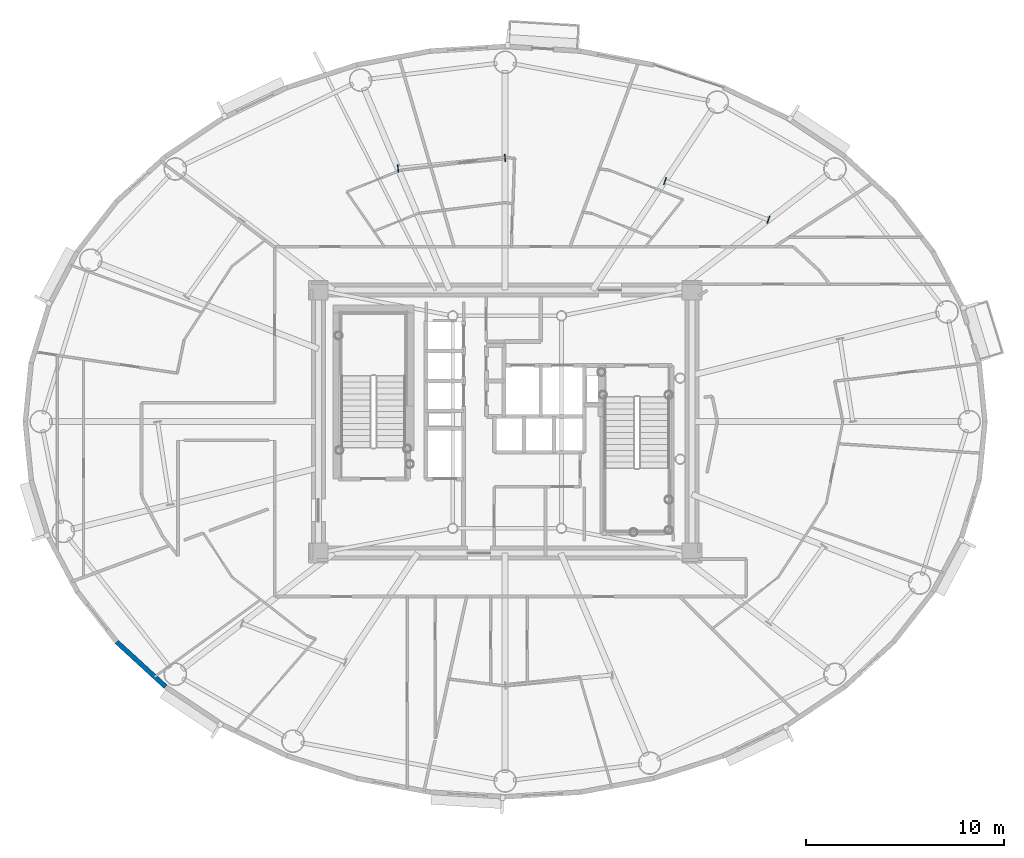
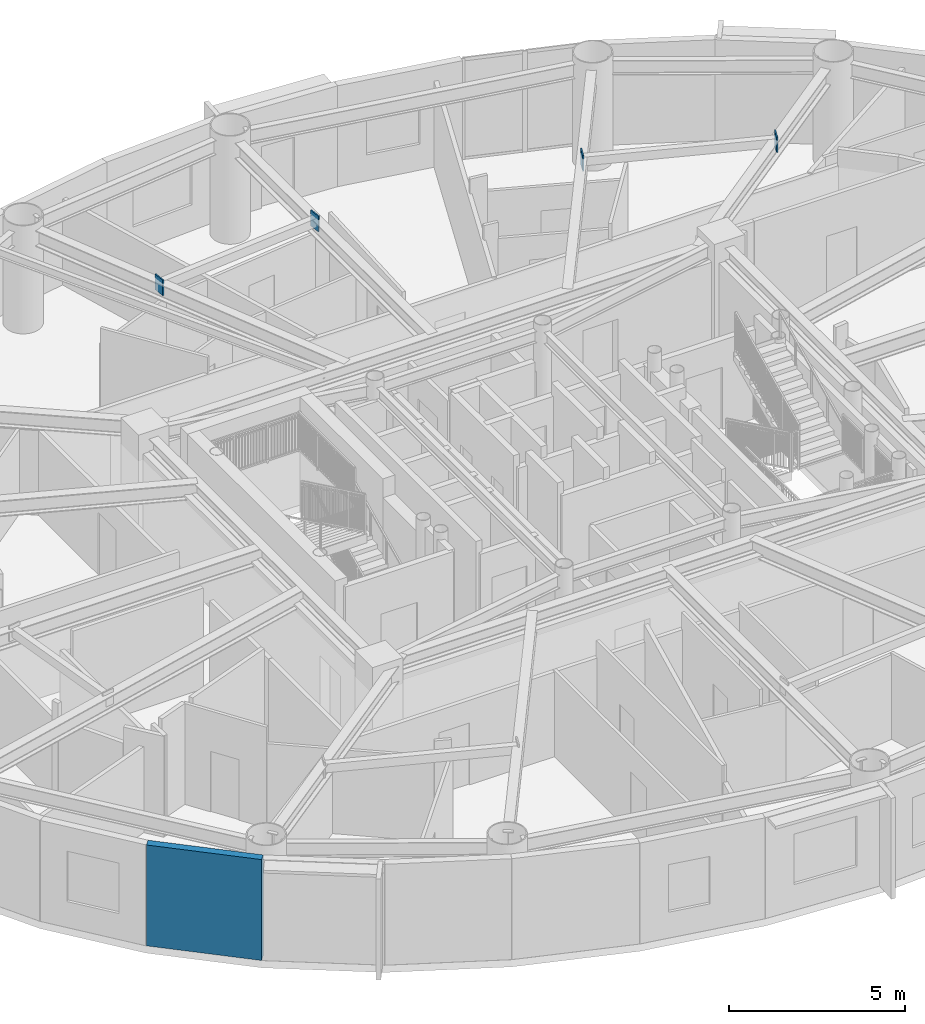
# One storey, part 8 of 22: 4 plates, 1 wall.
"""IFC4 building model written with IfcOpenShell, lengths in metres."""

import ifcopenshell
import ifcopenshell.guid

model = None  # the IFC model being written
_history = None  # IfcOwnerHistory: only IFC2X3 demands one
_inside = {}  # id of a spatial element -> (the spatial element, [elements in it])
_under = {}  # id of a project, library or spatial element -> (it, [spatial elements below it])
_declared = {}  # id of a project -> (the project, [libraries it declares])
_typed = {}  # id of a type object -> (the type object, [elements of that type])
_made_of = {}  # id of a material, layer set ... -> (it, [elements and type objects made of it])


def new_model(schema):
    """Start an empty IFC model of exactly this schema.

    Asked for "IFC4X3", IfcOpenShell would pick the latest addendum, in which some entities
    have other attributes; the version numbers below select the first issue.
    IFC2X3 requires an IfcOwnerHistory on every rooted entity: one is made here for all.
    """
    global model, _history
    if schema == "IFC4X3":
        model = ifcopenshell.file(schema_version=(4, 3, 0, 0))
    else:
        model = ifcopenshell.file(schema=schema)
    _inside.clear()
    _under.clear()
    _declared.clear()
    _typed.clear()
    _made_of.clear()
    _history = None
    if model.schema == "IFC2X3":
        org = make("IfcOrganization", Name="unknown")
        user = make(
            "IfcPersonAndOrganization",
            ThePerson=make("IfcPerson", FamilyName="unknown"),
            TheOrganization=org,
        )
        app = make(
            "IfcApplication",
            ApplicationDeveloper=org,
            Version="unknown",
            ApplicationFullName="unknown",
            ApplicationIdentifier="unknown",
        )
        _history = make(
            "IfcOwnerHistory",
            OwningUser=user,
            OwningApplication=app,
            ChangeAction="ADDED",
            CreationDate=0,
        )
    return model


def make(cls, **values):
    """One entity of the class cls with the attributes given. An attribute that is None is left unset."""
    return model.create_entity(
        cls, **{name: value for name, value in values.items() if value is not None}
    )


def rooted(cls, **values):
    """An entity with a GlobalId (a new one), such as an element, a storey or a relation."""
    return make(cls, GlobalId=ifcopenshell.guid.new(), OwnerHistory=_history, **values)


def si_unit(unit_type, name, prefix=None):
    """IfcSIUnit, for example si_unit("LENGTHUNIT", "METRE", prefix="MILLI")."""
    return make("IfcSIUnit", UnitType=unit_type, Prefix=prefix, Name=name)


def assignment(units):
    """IfcUnitAssignment: the units of a project."""
    return None if units is None else make("IfcUnitAssignment", Units=units)


def point(xyz):
    """IfcCartesianPoint."""
    return None if xyz is None else make("IfcCartesianPoint", Coordinates=xyz)


def direction(xyz):
    """IfcDirection."""
    return None if xyz is None else make("IfcDirection", DirectionRatios=xyz)


def frame(location, z_axis=None, x_axis=None):
    """IfcAxis2Placement3D, a coordinate frame: its origin and axes. An axis left out is left unset."""
    return make(
        "IfcAxis2Placement3D",
        Location=point(location),
        Axis=direction(z_axis),
        RefDirection=direction(x_axis),
    )


def frame_2d(location, x_axis=None):
    """IfcAxis2Placement2D, a coordinate frame in the plane: its origin and x axis."""
    return make(
        "IfcAxis2Placement2D", Location=point(location), RefDirection=direction(x_axis)
    )


def origin():
    """The frame at (0, 0, 0) with its axes left unset."""
    return frame((0.0, 0.0, 0.0))


def origin_2d():
    """The frame at (0, 0) in the plane with its x axis left unset."""
    return frame_2d((0.0, 0.0))


def place(relative_to, where):
    """IfcLocalPlacement: puts the frame where relative to a parent placement (None: the world)."""
    return make(
        "IfcLocalPlacement", PlacementRelTo=relative_to, RelativePlacement=where
    )


def context(
    kind, dimensions, precision=None, world=None, true_north=None, identifier=None
):
    """IfcGeometricRepresentationContext, for example the 3D "Model" context."""
    return make(
        "IfcGeometricRepresentationContext",
        ContextIdentifier=identifier,
        ContextType=kind,
        CoordinateSpaceDimension=dimensions,
        Precision=precision,
        WorldCoordinateSystem=world,
        TrueNorth=true_north,
    )


def subcontext(parent, identifier, kind, view, scale=None):
    """IfcGeometricRepresentationSubContext, for example "Body" below "Model"."""
    return make(
        "IfcGeometricRepresentationSubContext",
        ContextIdentifier=identifier,
        ContextType=kind,
        ParentContext=parent,
        TargetScale=scale,
        TargetView=view,
    )


def project(units=None, contexts=None):
    """IfcProject with its units and contexts."""
    return rooted(
        "IfcProject",
        Name="project",
        RepresentationContexts=contexts,
        UnitsInContext=assignment(units),
    )


def spatial(cls, under=None, at=None, **own):
    """A site, building, storey or space (cls), placed at a placement, below another one or the project."""
    s = rooted(cls, ObjectPlacement=at, **own)
    if under is not None:
        _under.setdefault(under.id(), (under, []))[1].append(s)
    return s


def profile(cls, at=None, kind="AREA", **sizes):
    """A parametric profile (cls). Its sizes go by their IFC names, for example OverallWidth=200.0."""
    return make(cls, ProfileType=kind, Position=at, **sizes)


def rectangle(**sizes):
    """IfcRectangleProfileDef."""
    return profile("IfcRectangleProfileDef", **sizes)


def extrude(swept, where, along, depth):
    """IfcExtrudedAreaSolid: the profile swept, set in the frame where, extruded along a direction by depth."""
    return make(
        "IfcExtrudedAreaSolid",
        SweptArea=swept,
        Position=where,
        ExtrudedDirection=direction(along),
        Depth=depth,
    )


def shape(context_of_items, identifier, shape_type, items):
    """IfcShapeRepresentation: the items that make up one representation, for example the "Body"."""
    return make(
        "IfcShapeRepresentation",
        ContextOfItems=context_of_items,
        RepresentationIdentifier=identifier,
        RepresentationType=shape_type,
        Items=items,
    )


def source(mapping_origin, context_of_items, identifier, shape_type, items):
    """IfcRepresentationMap: a shape defined once, which mapped items show again and again."""
    return make(
        "IfcRepresentationMap",
        MappingOrigin=mapping_origin,
        MappedRepresentation=shape(context_of_items, identifier, shape_type, items),
    )


def transform(
    local_origin,
    x_axis=None,
    y_axis=None,
    z_axis=None,
    scale=None,
    scale2=None,
    scale3=None,
    uniform=True,
):
    """IfcCartesianTransformationOperator3D, or its non-uniform kind. x_axis, y_axis, z_axis: its Axis1, 2, 3."""
    if uniform:
        return make(
            "IfcCartesianTransformationOperator3D",
            Axis1=direction(x_axis),
            Axis2=direction(y_axis),
            LocalOrigin=point(local_origin),
            Scale=scale,
            Axis3=direction(z_axis),
        )
    return make(
        "IfcCartesianTransformationOperator3DnonUniform",
        Axis1=direction(x_axis),
        Axis2=direction(y_axis),
        LocalOrigin=point(local_origin),
        Scale=scale,
        Axis3=direction(z_axis),
        Scale2=scale2,
        Scale3=scale3,
    )


def mapped(mapping_source, mapping_target):
    """IfcMappedItem: shows the shape of a source again, moved by a transform."""
    return make(
        "IfcMappedItem", MappingSource=mapping_source, MappingTarget=mapping_target
    )


def material(Name=None, Category=None):
    """IfcMaterial."""
    return make("IfcMaterial", Name=Name, Category=Category)


def layer(
    of_material, thickness, ventilated=None, Name=None, Category=None, Priority=None
):
    """IfcMaterialLayer: one layer of a wall or slab, of a material (None: an air gap)."""
    return make(
        "IfcMaterialLayer",
        Material=of_material,
        LayerThickness=thickness,
        IsVentilated=ventilated,
        Name=Name,
        Category=Category,
        Priority=Priority,
    )


def layer_set(layers, Name=None):
    """IfcMaterialLayerSet."""
    return make("IfcMaterialLayerSet", MaterialLayers=layers, LayerSetName=Name)


def made_of(thing, what):
    """Note that an element or type object is made of a material, layer set ...; save() writes the relation."""
    if what is not None:
        _made_of.setdefault(what.id(), (what, []))[1].append(thing)
    return thing


def type_object(cls, material=None, **own):
    """A type object (cls), such as IfcWallType, which elements share."""
    return made_of(rooted(cls, **own), material)


def element(
    cls,
    number,
    at=None,
    inside=None,
    cuts=None,
    type_object=None,
    material=None,
    context=None,
    identifier="Body",
    shape_type=None,
    held_by="IfcProductDefinitionShape",
    body=None,
    shapes=None,
    **own,
):
    """One element of the class cls, such as IfcWall. Its Tag is "e" and its number.

    at: its placement. inside: the storey or other place that contains it. cuts: it is an
    opening in that element (IfcRelVoidsElement). A single representation is given by context,
    identifier, shape_type and body (its items); several are given by shapes. held_by: the class
    of the entity that holds the representations. save() writes the other relations.
    """
    e = rooted(cls, Tag="e%d" % number, ObjectPlacement=at, **own)
    if body is not None:
        shapes = [shape(context, identifier, shape_type, body)]
    if shapes is not None:
        e.Representation = make(held_by, Representations=shapes)
    if inside is not None:
        _inside.setdefault(inside.id(), (inside, []))[1].append(e)
    if cuts is not None:
        rooted(
            "IfcRelVoidsElement", RelatingBuildingElement=cuts, RelatedOpeningElement=e
        )
    if type_object is not None:
        _typed.setdefault(type_object.id(), (type_object, []))[1].append(e)
    return made_of(e, material)


def aggregate(whole, parts):
    """IfcRelAggregates: a whole, such as a stair, and the parts it consists of."""
    return rooted("IfcRelAggregates", RelatingObject=whole, RelatedObjects=parts)


def save(model, path):
    """Write the relations noted so far, then the file.

    IfcRelAggregates (storeys below a building ...), IfcRelContainedInSpatialStructure (elements
    in a storey), IfcRelDefinesByType, IfcRelAssociatesMaterial and IfcRelDeclares: one each for
    every whole, place, type object, material and project.
    """
    for whole, parts in _under.values():
        aggregate(whole, parts)
    for where, things in _inside.values():
        rooted(
            "IfcRelContainedInSpatialStructure",
            RelatedElements=things,
            RelatingStructure=where,
        )
    for kind, things in _typed.values():
        rooted("IfcRelDefinesByType", RelatedObjects=things, RelatingType=kind)
    for what, things in _made_of.values():
        rooted("IfcRelAssociatesMaterial", RelatedObjects=things, RelatingMaterial=what)
    for by, libraries in _declared.values():
        rooted("IfcRelDeclares", RelatingContext=by, RelatedDefinitions=libraries)
    model.write(path)


model = new_model("IFC4")

# Units and contexts
model_context = context("Model", 3, precision=1e-05, world=origin(), true_north=direction((0.0, 1.0)))
body_context = subcontext(model_context, "Body", "Model", "MODEL_VIEW")
ifc_project = project(units=[si_unit("LENGTHUNIT", "METRE"), si_unit("AREAUNIT", "SQUARE_METRE"), si_unit("VOLUMEUNIT", "CUBIC_METRE"), si_unit("PLANEANGLEUNIT", "RADIAN"), si_unit("MASSUNIT", "GRAM", prefix="KILO")], contexts=[model_context])

# Site, building, storey
site_placement = place(None, origin())
site = spatial("IfcSite", under=ifc_project, at=site_placement, CompositionType="ELEMENT")
building_placement = place(site_placement, origin())
building = spatial("IfcBuilding", under=site, at=building_placement, Name="Linh Dai School and Residence Tower", CompositionType="ELEMENT")
storey_placement = place(building_placement, frame((0.0, 0.0, 214.050048828125)))
storey = spatial("IfcBuildingStorey", under=building, at=storey_placement, Name="L52", CompositionType="ELEMENT", Elevation=214.050048828125)

# Plates
ifc_material_1 = material(Name="Structural Steel S355JR", Category="steel")
ifc_layer_1 = layer(ifc_material_1, 0.0400390625)
ifc_layer_set_1 = layer_set([ifc_layer_1], Name="Structural Steel S355JR")
plate_type = type_object("IfcPlateType", Name="PLT-GP1", PredefinedType="USERDEFINED", material=ifc_layer_set_1)
shared_shape = source(origin(), body_context, "Body", "SweptSolid", [
    extrude(rectangle(XDim=0.0400390625, YDim=0.3798828125, at=origin_2d()), origin(), (0.0, 0.0, 1.0), 0.5400390625),
])
for number, where, z_axis, x_axis, name in (
    (1, (49.3173828125, 37.207763671875, 3.079833984375), (0.0, 0.0, 1.0), (-0.936533727109, 0.35057749213, 0.0), "L52 Secondary Beam End Plate 02A"),
    (2, (44.085693359375, 39.166015625, 3.079833984375), (0.0, 0.0, 1.0), (-0.936533727109, 0.35057749213, 0.0), "L52 Secondary Beam End Plate 02B"),
    (3, (35.9951171875, 40.3369140625, 3.079833984375), (0.0, 0.0, 1.0), (-0.995333315624, -0.096496584447, 0.0), "L52 Secondary Beam End Plate 03A"),
    (4, (30.581787109375, 39.81201171875, 3.079833984375), (0.0, 0.0, 1.0), (-0.995333315624, -0.096496584447, 0.0), "L52 Secondary Beam End Plate 03B"),
):
    element("IfcPlate", number, at=place(storey_placement, frame(where, z_axis=z_axis, x_axis=x_axis)), inside=storey, type_object=plate_type, Name=name, ObjectType="GUSSET PLATE", PredefinedType="USERDEFINED", context=body_context, shape_type="MappedRepresentation", body=[
        mapped(shared_shape, transform((0.0, 0.0, 0.0), x_axis=(1.0, 0.0, 0.0), y_axis=(0.0, 1.0, 0.0), z_axis=(0.0, 0.0, 1.0), scale=1.0)),
    ])

# Wall
ifc_material_2 = material(Name="Precast Concrete B45 (C35/45)", Category="concrete")
ifc_layer_2 = layer(ifc_material_2, 0.239990234375)
ifc_layer_set_2 = layer_set([ifc_layer_2], Name="Precast Concrete B45 (C35/45)")
wall_type = type_object("IfcWallType", Name="EW-TC-240", PredefinedType="SOLIDWALL", material=ifc_layer_set_2)
wall_placement = place(storey_placement, frame((18.82373046875, 13.589111328125, 0.0), z_axis=(0.0, 0.0, 1.0), x_axis=(-0.737123922599, 0.675757591694, 0.0)))
element("IfcWall", 5, at=wall_placement, inside=storey, type_object=wall_type, Name="L52 Terracotta Exterior Wall 25", PredefinedType="SOLIDWALL", context=body_context, shape_type="SweptSolid", body=[
    extrude(rectangle(XDim=3.353759765625, YDim=0.239990234375, at=frame_2d((1.6767578125, 0.0))), origin(), (0.0, 0.0, 1.0), 3.5),
])

save(model, "model.ifc")
